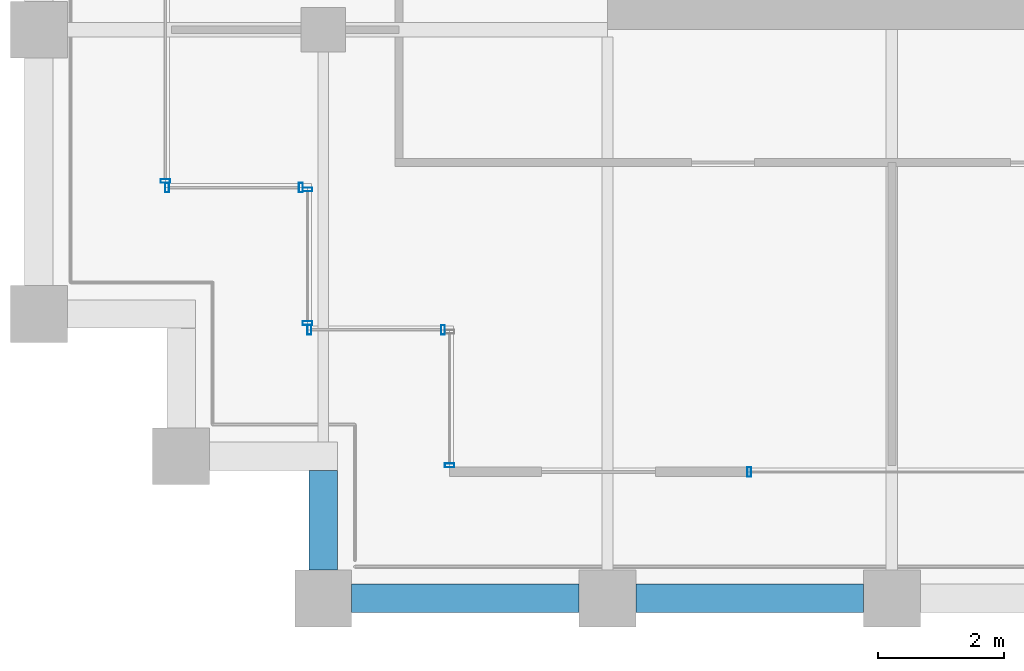
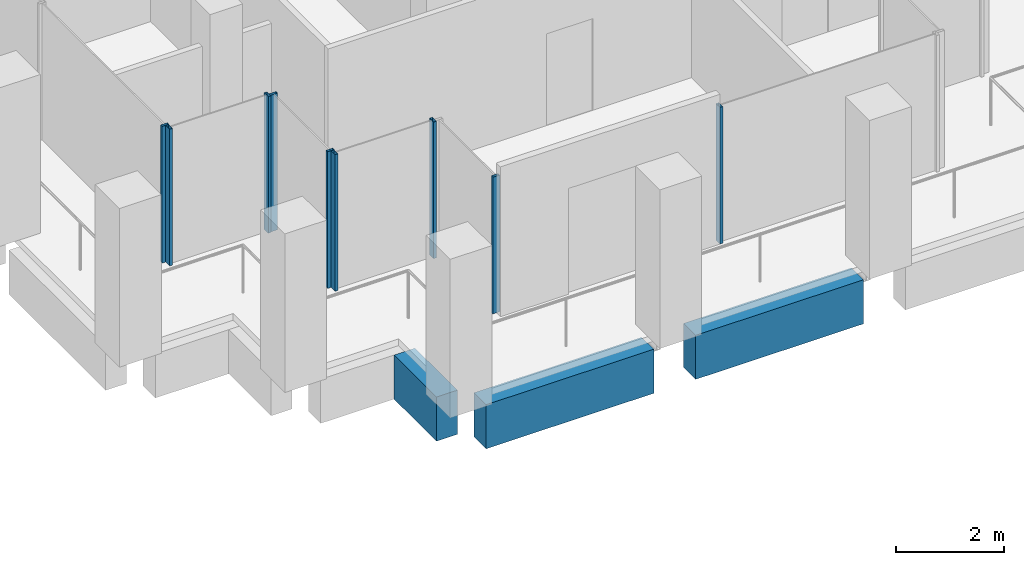
# One storey, part 28 of 40: 9 members, 3 beams, 6 elements without a shape of their own.
"""IFC4 building model written with IfcOpenShell, lengths in metres."""

from ifc_helpers import new_model, si_unit, direction, frame, origin, origin_2d, place, context, subcontext, project, spatial, rectangle, hollow_rectangle, extrude, material, material_profile, profile_set, type_object, element, aggregate, save


model = new_model("IFC4")

# Units and contexts
model_context = context("Model", 3, precision=1e-05, world=origin(), true_north=direction((0.0, 1.0)))
body_context = subcontext(model_context, "Body", "Model", "MODEL_VIEW")
ifc_project = project(units=[si_unit("LENGTHUNIT", "METRE"), si_unit("AREAUNIT", "SQUARE_METRE"), si_unit("VOLUMEUNIT", "CUBIC_METRE"), si_unit("PLANEANGLEUNIT", "RADIAN"), si_unit("MASSUNIT", "GRAM", prefix="KILO")], contexts=[model_context])

# Site, building, storey
site_placement = place(None, origin())
site = spatial("IfcSite", under=ifc_project, at=site_placement, CompositionType="ELEMENT")
building_placement = place(site_placement, origin())
building = spatial("IfcBuilding", under=site, at=building_placement, Name="Altepetl Exchange Towers", CompositionType="ELEMENT")
storey_placement = place(building_placement, frame((0.0, 0.0, 187.0)))
storey = spatial("IfcBuildingStorey", under=building, at=storey_placement, Name="L47", CompositionType="ELEMENT", Elevation=187.0)

# Curtain wall, member
ifc_material_1 = material(Name="Aluminium 6063-T6 glazing", Category="aluminium")
curtain_wall_type = type_object("IfcCurtainWallType", Name="Loggia glazing system", PredefinedType="NOTDEFINED", material=ifc_material_1)
curtain_wall_1_placement = place(storey_placement, origin())
curtain_wall_1 = element("IfcCurtainWall", 1, at=curtain_wall_1_placement, inside=storey, type_object=curtain_wall_type, Name="CW1 run", PredefinedType="NOTDEFINED")
ifc_material_2 = material(Name="Aluminium 6063-T6", Category="aluminium")
ifc_material_profile_1 = material_profile(ifc_material_2, hollow_rectangle(XDim=0.06005859375, YDim=0.14990234375, WallThickness=0.0029296875, at=origin_2d()), Name="Mullion 60x150 aluminium")
ifc_profile_set_1 = profile_set([ifc_material_profile_1], Name="Aluminium 6063-T6")
member_type = type_object("IfcMemberType", Name="Mullion 60x150 aluminium", PredefinedType="MULLION", material=ifc_profile_set_1)
member_1_placement = place(storey_placement, frame((101.0, 29.10498046875, 0.0), z_axis=(0.0, 0.0, 1.0), x_axis=(0.0, -1.0, 0.0)))
member_1 = element("IfcMember", 2, at=member_1_placement, type_object=member_type, Name="MU1 mullion", PredefinedType="MULLION", context=body_context, shape_type="SweptSolid", body=[
    extrude(hollow_rectangle(XDim=0.06005859375, YDim=0.14990234375, WallThickness=0.0029296875, at=origin_2d()), origin(), (0.0, 0.0, 1.0), 3.10009765625),
])
aggregate(curtain_wall_1, [member_1])

curtain_wall_2_placement = place(storey_placement, origin())
curtain_wall_2 = element("IfcCurtainWall", 3, at=curtain_wall_2_placement, inside=storey, type_object=curtain_wall_type, Name="CW1 run", PredefinedType="NOTDEFINED")
member_2_placement = place(storey_placement, frame((105.742431640625, 29.0, 0.0)))
member_2 = element("IfcMember", 4, at=member_2_placement, type_object=member_type, Name="MU1 mullion", PredefinedType="MULLION", context=body_context, shape_type="SweptSolid", body=[
    extrude(hollow_rectangle(XDim=0.06005859375, YDim=0.14990234375, WallThickness=0.0029296875, at=origin_2d()), origin(), (0.0, 0.0, 1.0), 3.10009765625),
])
aggregate(curtain_wall_2, [member_2])

curtain_wall_3_placement = place(storey_placement, origin())
curtain_wall_3 = element("IfcCurtainWall", 5, at=curtain_wall_3_placement, inside=storey, type_object=curtain_wall_type, Name="CW1 run", PredefinedType="NOTDEFINED")
member_3_placement = place(storey_placement, frame((96.5, 33.60498046875, 0.0), z_axis=(0.0, 0.0, 1.0), x_axis=(0.0, -1.0, 0.0)))
member_3 = element("IfcMember", 6, at=member_3_placement, type_object=member_type, Name="MU1 mullion", PredefinedType="MULLION", context=body_context, shape_type="SweptSolid", body=[
    extrude(hollow_rectangle(XDim=0.06005859375, YDim=0.14990234375, WallThickness=0.0029296875, at=origin_2d()), origin(), (0.0, 0.0, 1.0), 3.10009765625),
])
aggregate(curtain_wall_3, [member_3])

# Curtain wall, members
curtain_wall_4_placement = place(storey_placement, origin())
curtain_wall_4 = element("IfcCurtainWall", 7, at=curtain_wall_4_placement, inside=storey, type_object=curtain_wall_type, Name="CW1 run", PredefinedType="NOTDEFINED")
member_4_placement = place(storey_placement, frame((96.530029296875, 33.5, 0.0)))
member_4 = element("IfcMember", 8, at=member_4_placement, type_object=member_type, Name="MU1 mullion", PredefinedType="MULLION", context=body_context, shape_type="SweptSolid", body=[
    extrude(hollow_rectangle(XDim=0.06005859375, YDim=0.14990234375, WallThickness=0.0029296875, at=origin_2d()), origin(), (0.0, 0.0, 1.0), 3.10009765625),
])
member_5_placement = place(storey_placement, frame((98.64501953125, 33.5, 0.0)))
member_5 = element("IfcMember", 9, at=member_5_placement, type_object=member_type, Name="MU1 mullion", PredefinedType="MULLION", context=body_context, shape_type="SweptSolid", body=[
    extrude(hollow_rectangle(XDim=0.06005859375, YDim=0.14990234375, WallThickness=0.0029296875, at=origin_2d()), origin(), (0.0, 0.0, 1.0), 3.10009765625),
])
aggregate(curtain_wall_4, [member_4, member_5])

curtain_wall_5_placement = place(storey_placement, origin())
curtain_wall_5 = element("IfcCurtainWall", 10, at=curtain_wall_5_placement, inside=storey, type_object=curtain_wall_type, Name="CW1 run", PredefinedType="NOTDEFINED")
member_6_placement = place(storey_placement, frame((98.75, 33.469970703125, 0.0), z_axis=(0.0, 0.0, 1.0), x_axis=(0.0, -1.0, 0.0)))
member_6 = element("IfcMember", 11, at=member_6_placement, type_object=member_type, Name="MU1 mullion", PredefinedType="MULLION", context=body_context, shape_type="SweptSolid", body=[
    extrude(hollow_rectangle(XDim=0.06005859375, YDim=0.14990234375, WallThickness=0.0029296875, at=origin_2d()), origin(), (0.0, 0.0, 1.0), 3.10009765625),
])
member_7_placement = place(storey_placement, frame((98.75, 31.35498046875, 0.0), z_axis=(0.0, 0.0, 1.0), x_axis=(0.0, -1.0, 0.0)))
member_7 = element("IfcMember", 12, at=member_7_placement, type_object=member_type, Name="MU1 mullion", PredefinedType="MULLION", context=body_context, shape_type="SweptSolid", body=[
    extrude(hollow_rectangle(XDim=0.06005859375, YDim=0.14990234375, WallThickness=0.0029296875, at=origin_2d()), origin(), (0.0, 0.0, 1.0), 3.10009765625),
])
aggregate(curtain_wall_5, [member_6, member_7])

curtain_wall_6_placement = place(storey_placement, origin())
curtain_wall_6 = element("IfcCurtainWall", 13, at=curtain_wall_6_placement, inside=storey, type_object=curtain_wall_type, Name="CW1 run", PredefinedType="NOTDEFINED")
member_8_placement = place(storey_placement, frame((98.780029296875, 31.25, 0.0)))
member_8 = element("IfcMember", 14, at=member_8_placement, type_object=member_type, Name="MU1 mullion", PredefinedType="MULLION", context=body_context, shape_type="SweptSolid", body=[
    extrude(hollow_rectangle(XDim=0.06005859375, YDim=0.14990234375, WallThickness=0.0029296875, at=origin_2d()), origin(), (0.0, 0.0, 1.0), 3.10009765625),
])
member_9_placement = place(storey_placement, frame((100.89501953125, 31.25, 0.0)))
member_9 = element("IfcMember", 15, at=member_9_placement, type_object=member_type, Name="MU1 mullion", PredefinedType="MULLION", context=body_context, shape_type="SweptSolid", body=[
    extrude(hollow_rectangle(XDim=0.06005859375, YDim=0.14990234375, WallThickness=0.0029296875, at=origin_2d()), origin(), (0.0, 0.0, 1.0), 3.10009765625),
])
aggregate(curtain_wall_6, [member_8, member_9])

# Beams
ifc_material_3 = material(Name="Concrete C50/60 precast with tezontle facing", Category="concrete")
ifc_material_profile_2 = material_profile(ifc_material_3, rectangle(XDim=0.449951171875, YDim=1.0, at=origin_2d()), Name="450 x 1000")
ifc_profile_set_2 = profile_set([ifc_material_profile_2], Name="Concrete C50/60 precast with tezontle facing")
beam_type = type_object("IfcBeamType", Name="Spandrel beam 450x1000 tezontle", PredefinedType="SPANDREL", material=ifc_profile_set_2)
for number, where, z_axis, x_axis, name in (
    (16, (99.449951171875, 27.0, -0.64990234375), (1.0, 0.0, 0.0), (0.0, 1.0, 0.0), "sp:B:L47:000"),
    (17, (103.949951171875, 27.0, -0.64990234375), (1.0, 0.0, 0.0), (0.0, 1.0, 0.0), "sp:B:L47:001"),
):
    element("IfcBeam", number, at=place(storey_placement, frame(where, z_axis=z_axis, x_axis=x_axis)), inside=storey, type_object=beam_type, Name=name, PredefinedType="SPANDREL", context=body_context, shape_type="SweptSolid", body=[
        extrude(rectangle(XDim=0.449951171875, YDim=1.0, at=origin_2d()), origin(), (0.0, 0.0, 1.0), 3.60009765625),
    ])
beam_placement = place(storey_placement, frame((99.0, 29.02490234375, -0.64990234375), z_axis=(0.0, -1.0, 0.0), x_axis=(1.0, 0.0, 0.0)))
element("IfcBeam", 18, at=beam_placement, inside=storey, type_object=beam_type, Name="sp:B:L47:023", PredefinedType="SPANDREL", context=body_context, shape_type="SweptSolid", body=[
    extrude(rectangle(XDim=0.449951171875, YDim=1.0, at=origin_2d()), origin(), (0.0, 0.0, 1.0), 1.574951171875),
])

save(model, "model.ifc")
